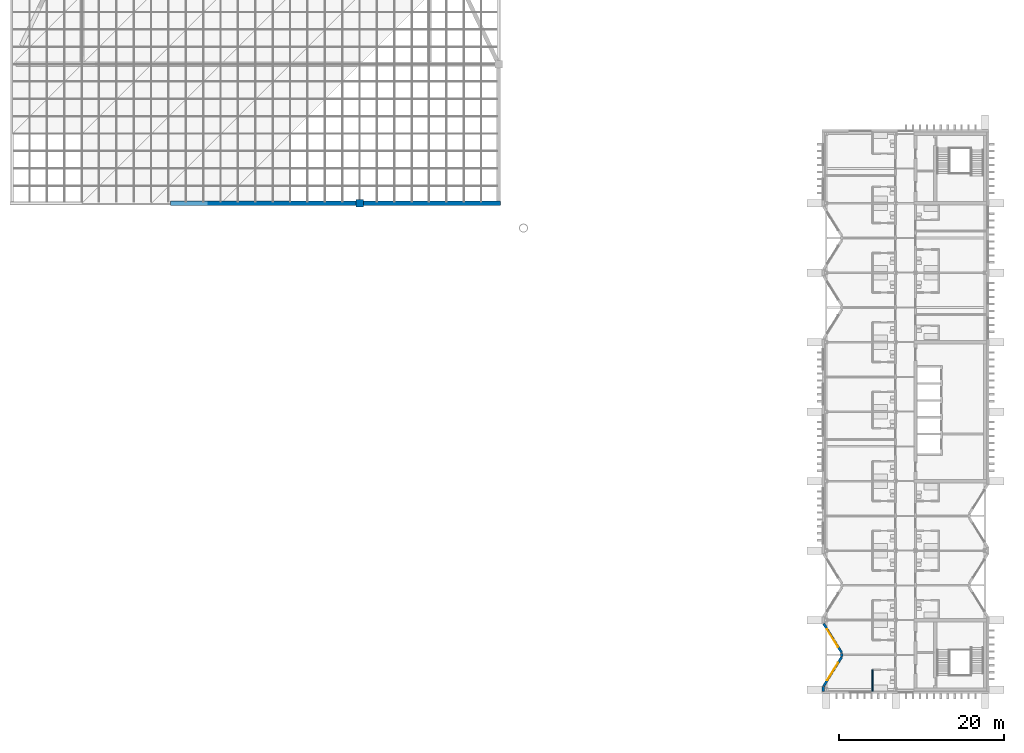
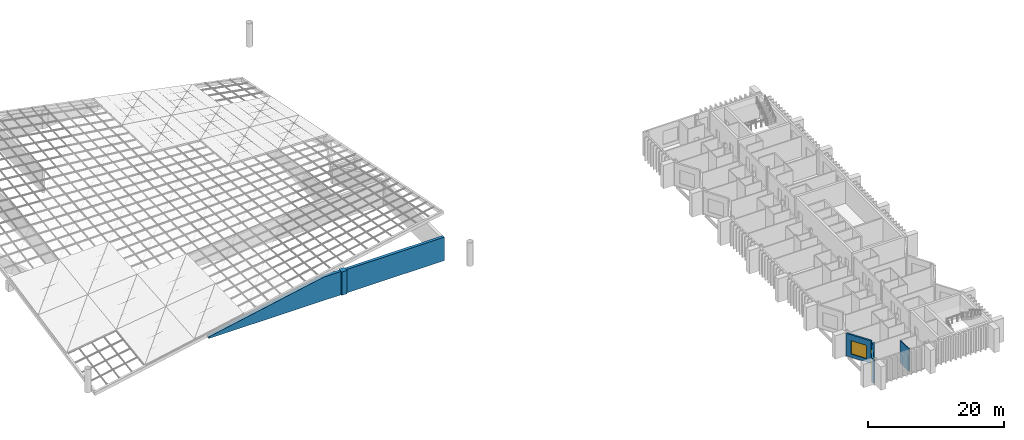
# One storey, part 11 of 20: 8 walls, 2 windows, 2 openings.
"""IFC4 building model written with IfcOpenShell, lengths in metres."""

from ifc_helpers import new_model, si_unit, direction, frame, frame_2d, origin, place, context, subcontext, project, spatial, polyline, rectangle, outline, extrude, material, layer, layer_set, type_object, element, fill, save


model = new_model("IFC4")

# Units and contexts
model_context = context("Model", 3, precision=1e-05, world=origin(), true_north=direction((0.0, 1.0)))
body_context = subcontext(model_context, "Body", "Model", "MODEL_VIEW")
ifc_project = project(units=[si_unit("LENGTHUNIT", "METRE"), si_unit("AREAUNIT", "SQUARE_METRE"), si_unit("VOLUMEUNIT", "CUBIC_METRE"), si_unit("PLANEANGLEUNIT", "RADIAN"), si_unit("MASSUNIT", "GRAM", prefix="KILO")], contexts=[model_context])

# Site, building, storey
site_placement = place(None, origin())
site = spatial("IfcSite", under=ifc_project, at=site_placement, CompositionType="ELEMENT")
building_placement = place(site_placement, origin())
building = spatial("IfcBuilding", under=site, at=building_placement, Name="Cresset Court Congress Hotel", CompositionType="ELEMENT")
storey_placement = place(building_placement, frame((0.0, 0.0, 27.0)))
storey = spatial("IfcBuildingStorey", under=building, at=storey_placement, Name="L06", CompositionType="ELEMENT", Elevation=27.0)

# Walls
ifc_material_1 = material(Name="Gypsum board partition")
ifc_layer_1 = layer(ifc_material_1, 0.14990234375)
ifc_layer_set_1 = layer_set([ifc_layer_1], Name="En-suite wall 150")
wall_type_1 = type_object("IfcWallType", Name="En-suite wall 150", PredefinedType="PARTITIONING", material=ifc_layer_set_1)
wall_1_placement = place(storey_placement, frame((162.800048828125, -0.219970703125, 0.0), z_axis=(0.0, 0.0, 1.0), x_axis=(0.0, 1.0, 0.0)))
element("IfcWall", 1, at=wall_1_placement, inside=storey, type_object=wall_type_1, Name="A.wl.L06.001", PredefinedType="PARTITIONING", context=body_context, shape_type="SweptSolid", body=[
    extrude(rectangle(XDim=2.619873046875, YDim=0.14990234375, at=frame_2d((1.31005859375, 0.0))), origin(), (0.0, 0.0, 1.0), 4.050048828125),
])
ifc_material_2 = material(Name="Precast concrete C50", Category="concrete")
ifc_layer_2 = layer(ifc_material_2, 0.280029296875)
ifc_layer_set_2 = layer_set([ifc_layer_2], Name="External wall 280")
wall_type_2 = type_object("IfcWallType", Name="External wall 280", PredefinedType="SOLIDWALL", material=ifc_layer_set_2)
wall_2_placement = place(storey_placement, frame((156.840087890625, -0.219970703125, 0.0), z_axis=(0.0, 0.0, 1.0), x_axis=(0.0, 1.0, 0.0)))
element("IfcWall", 2, at=wall_2_placement, inside=storey, type_object=wall_type_2, Name="A.ew.L06.W.1", PredefinedType="SOLIDWALL", context=body_context, shape_type="SweptSolid", body=[
    extrude(rectangle(XDim=0.570068359375, YDim=0.280029296875, at=frame_2d((0.28515625, 0.0))), origin(), (0.0, 0.0, 1.0), 4.050048828125),
])

# Wall, opening, window
wall_3_placement = place(storey_placement, frame((156.88623046875, 0.424072265625, 0.0), z_axis=(0.0, 0.0, 1.0), x_axis=(0.529018946142, 0.848610013271, 0.0)))
wall_3 = element("IfcWall", 3, at=wall_3_placement, inside=storey, type_object=wall_type_2, Name="A.ew.L06.Wn.0.0", PredefinedType="SOLIDWALL", context=body_context, shape_type="SweptSolid", body=[
    extrude(rectangle(XDim=4.144287109375, YDim=0.280029296875, at=frame_2d((2.072265625, 0.0))), origin(), (0.0, 0.0, 1.0), 4.050048828125),
])
opening_1_placement = place(wall_3_placement, frame((0.812255859375, 0.0, 0.60009765625)))
opening_1 = element("IfcOpeningElement", 4, at=opening_1_placement, cuts=wall_3, Name="Opening NA-06-01", PredefinedType="OPENING", context=body_context, shape_type="SweptSolid", body=[
    extrude(rectangle(XDim=2.52001953125, YDim=2.39990234375, at=frame_2d((1.260009765625, 1.199951171875))), frame((0.0, 0.14990234375, 0.0), z_axis=(0.0, -1.0, 0.0), x_axis=(1.0, 0.0, 0.0)), (0.0, 0.0, 1.0), 0.300048828125),
])
ifc_material_3 = material(Name="Aluminium and glass", Category="aluminium")
window_type = type_object("IfcWindowType", Name="Window 2520x2400", PartitioningType="SINGLE_PANEL", PredefinedType="WINDOW", material=ifc_material_3)
window_1_placement = place(opening_1_placement, origin())
window_1 = element("IfcWindow", 5, at=window_1_placement, inside=storey, type_object=window_type, Name="Window NA-06-01", OverallHeight=2.39990234375, OverallWidth=2.52001953125, PartitioningType="SINGLE_PANEL", PredefinedType="WINDOW", context=body_context, shape_type="SweptSolid", body=[
    extrude(rectangle(XDim=2.52001953125, YDim=2.39990234375, at=frame_2d((1.260009765625, 1.199951171875))), frame((0.0, 0.030029296875, 0.0), z_axis=(0.0, -1.0, 0.0), x_axis=(1.0, 0.0, 0.0)), (0.0, 0.0, 1.0), 0.06005859375),
])
fill(opening_1, window_1)

wall_4_placement = place(storey_placement, frame((159.07861328125, 4.458984375, 0.0), z_axis=(0.0, 0.0, 1.0), x_axis=(-0.529018946142, 0.848610013271, 0.0)))
wall_4 = element("IfcWall", 6, at=wall_4_placement, inside=storey, type_object=wall_type_2, Name="A.ew.L06.Wn.0.1", PredefinedType="SOLIDWALL", context=body_context, shape_type="SweptSolid", body=[
    extrude(rectangle(XDim=4.144287109375, YDim=0.280029296875, at=frame_2d((2.072265625, 0.0))), origin(), (0.0, 0.0, 1.0), 4.050048828125),
])
opening_2_placement = place(wall_4_placement, frame((0.812255859375, 0.0, 0.60009765625)))
opening_2 = element("IfcOpeningElement", 7, at=opening_2_placement, cuts=wall_4, Name="Opening NA-06-02", PredefinedType="OPENING", context=body_context, shape_type="SweptSolid", body=[
    extrude(rectangle(XDim=2.52001953125, YDim=2.39990234375, at=frame_2d((1.260009765625, 1.199951171875))), frame((0.0, 0.14990234375, 0.0), z_axis=(0.0, -1.0, 0.0), x_axis=(1.0, 0.0, 0.0)), (0.0, 0.0, 1.0), 0.300048828125),
])
window_2_placement = place(opening_2_placement, origin())
window_2 = element("IfcWindow", 8, at=window_2_placement, inside=storey, type_object=window_type, Name="Window NA-06-02", OverallHeight=2.39990234375, OverallWidth=2.52001953125, PartitioningType="SINGLE_PANEL", PredefinedType="WINDOW", context=body_context, shape_type="SweptSolid", body=[
    extrude(rectangle(XDim=2.52001953125, YDim=2.39990234375, at=frame_2d((1.260009765625, 1.199951171875))), frame((0.0, 0.030029296875, 0.0), z_axis=(0.0, -1.0, 0.0), x_axis=(1.0, 0.0, 0.0)), (0.0, 0.0, 1.0), 0.06005859375),
])
fill(opening_2, window_2)

# Walls
wall_5_placement = place(storey_placement, frame((159.099609375, 4.01513671875, 0.0), z_axis=(0.0, 0.0, 1.0), x_axis=(0.0, 1.0, 0.0)))
element("IfcWall", 9, at=wall_5_placement, inside=storey, type_object=wall_type_2, Name="A.ew.L06.Wn.0.2", PredefinedType="SOLIDWALL", context=body_context, shape_type="SweptSolid", body=[
    extrude(rectangle(XDim=0.369873046875, YDim=0.280029296875, at=frame_2d((0.18505859375, 0.0))), origin(), (0.0, 0.0, 1.0), 3.60400390625),
])
ifc_material_4 = material(Name="Limestone-faced precast concrete C50", Category="masonry")
ifc_layer_3 = layer(ifc_material_4, 0.5)
ifc_layer_set_3 = layer_set([ifc_layer_3], Name="Hall perimeter wall 500")
wall_type_3 = type_object("IfcWallType", Name="Hall perimeter wall 500", PredefinedType="SOLIDWALL", material=ifc_layer_set_3)
wall_6_placement = place(storey_placement, frame((100.35009765625, 58.800048828125, 0.0), z_axis=(0.0, 0.0, 1.0), x_axis=(-1.0, 0.0, 0.0)))
element("IfcWall", 10, at=wall_6_placement, inside=storey, type_object=wall_type_3, Name="Wall CW-SL06-2", PredefinedType="SOLIDWALL", context=body_context, shape_type="SweptSolid", body=[
    extrude(outline(polyline([(0.0, 0.0), (22.457763671875, 0.0), (22.45751953125, 0.300048828125), (3.023681640625, 4.199951171875), (0.0, 4.199951171875), (0.0, 0.0)])), frame((0.0, 0.25, 0.0), z_axis=(0.0, -1.0, 0.0), x_axis=(1.0, 0.0, 0.0)), (0.0, 0.0, 1.0), 0.5),
])
wall_7_placement = place(storey_placement, frame((117.85009765625, 58.800048828125, 0.0), z_axis=(0.0, 0.0, 1.0), x_axis=(-1.0, 0.0, 0.0)))
element("IfcWall", 11, at=wall_7_placement, inside=storey, type_object=wall_type_3, Name="Wall CW-SL06-3", PredefinedType="SOLIDWALL", context=body_context, shape_type="SweptSolid", body=[
    extrude(rectangle(XDim=16.60009765625, YDim=0.5, at=frame_2d((8.300048828125, 0.0))), origin(), (0.0, 0.0, 1.0), 4.199951171875),
])
ifc_material_5 = material(Name="Concrete C50", Category="concrete")
ifc_layer_4 = layer(ifc_material_5, 0.89990234375)
ifc_layer_set_4 = layer_set([ifc_layer_4], Name="Hall pilaster 900x900")
wall_type_4 = type_object("IfcWallType", Name="Hall pilaster 900x900", PredefinedType="SOLIDWALL", material=ifc_layer_set_4)
wall_8_placement = place(storey_placement, frame((100.35009765625, 58.800048828125, 0.0), z_axis=(0.0, 0.0, 1.0), x_axis=(1.0, 0.0, 0.0)))
element("IfcWall", 12, at=wall_8_placement, inside=storey, type_object=wall_type_4, Name="Pilaster P-S2", PredefinedType="SOLIDWALL", context=body_context, shape_type="SweptSolid", body=[
    extrude(rectangle(XDim=0.89990234375, YDim=0.89990234375, at=frame_2d((0.449951171875, 0.0))), origin(), (0.0, 0.0, 1.0), 4.199951171875),
])

save(model, "model.ifc")
